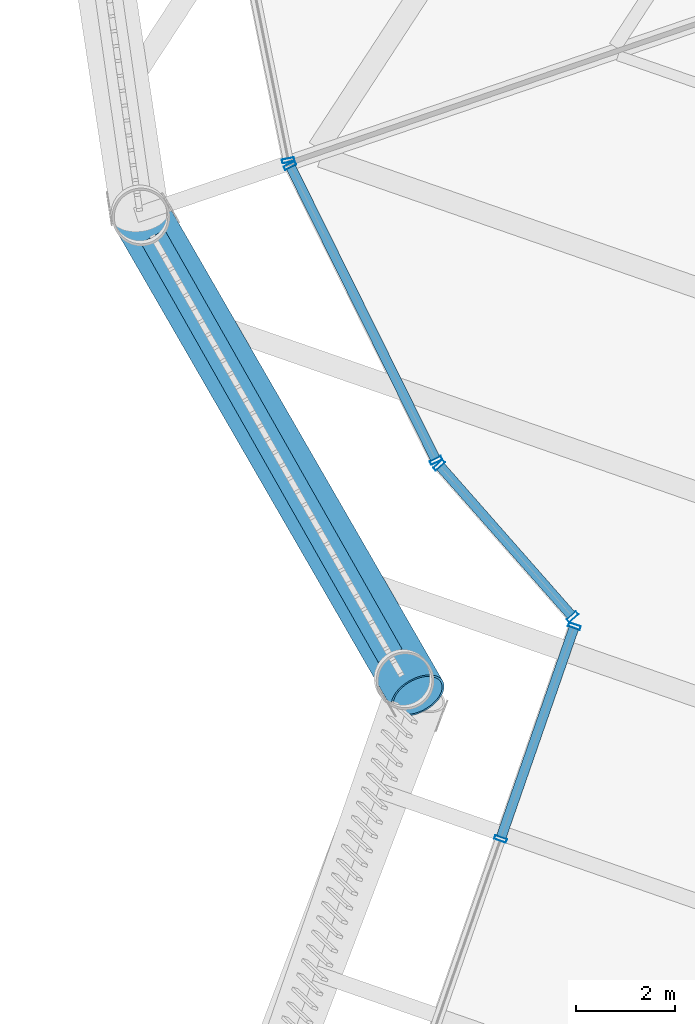
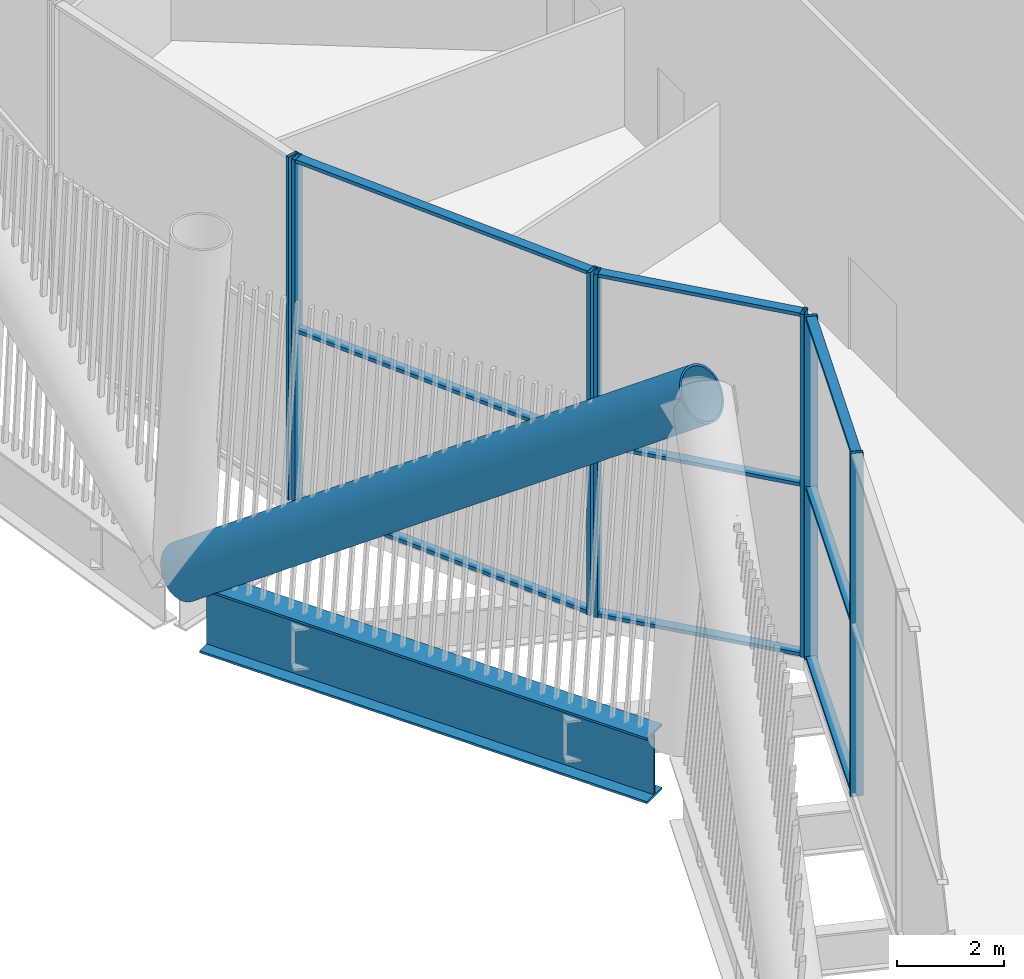
# One storey, part 11 of 63: 17 members, 1 beam, 4 elements without a shape of their own.
"""IFC4 building model written with IfcOpenShell, lengths in metres."""

import ifcopenshell
import ifcopenshell.guid

model = None  # the IFC model being written
_history = None  # IfcOwnerHistory: only IFC2X3 demands one
_inside = {}  # id of a spatial element -> (the spatial element, [elements in it])
_under = {}  # id of a project, library or spatial element -> (it, [spatial elements below it])
_declared = {}  # id of a project -> (the project, [libraries it declares])
_typed = {}  # id of a type object -> (the type object, [elements of that type])
_made_of = {}  # id of a material, layer set ... -> (it, [elements and type objects made of it])


def new_model(schema):
    """Start an empty IFC model of exactly this schema.

    Asked for "IFC4X3", IfcOpenShell would pick the latest addendum, in which some entities
    have other attributes; the version numbers below select the first issue.
    IFC2X3 requires an IfcOwnerHistory on every rooted entity: one is made here for all.
    """
    global model, _history
    if schema == "IFC4X3":
        model = ifcopenshell.file(schema_version=(4, 3, 0, 0))
    else:
        model = ifcopenshell.file(schema=schema)
    _inside.clear()
    _under.clear()
    _declared.clear()
    _typed.clear()
    _made_of.clear()
    _history = None
    if model.schema == "IFC2X3":
        org = make("IfcOrganization", Name="unknown")
        user = make(
            "IfcPersonAndOrganization",
            ThePerson=make("IfcPerson", FamilyName="unknown"),
            TheOrganization=org,
        )
        app = make(
            "IfcApplication",
            ApplicationDeveloper=org,
            Version="unknown",
            ApplicationFullName="unknown",
            ApplicationIdentifier="unknown",
        )
        _history = make(
            "IfcOwnerHistory",
            OwningUser=user,
            OwningApplication=app,
            ChangeAction="ADDED",
            CreationDate=0,
        )
    return model


def make(cls, **values):
    """One entity of the class cls with the attributes given. An attribute that is None is left unset."""
    return model.create_entity(
        cls, **{name: value for name, value in values.items() if value is not None}
    )


def rooted(cls, **values):
    """An entity with a GlobalId (a new one), such as an element, a storey or a relation."""
    return make(cls, GlobalId=ifcopenshell.guid.new(), OwnerHistory=_history, **values)


def si_unit(unit_type, name, prefix=None):
    """IfcSIUnit, for example si_unit("LENGTHUNIT", "METRE", prefix="MILLI")."""
    return make("IfcSIUnit", UnitType=unit_type, Prefix=prefix, Name=name)


def assignment(units):
    """IfcUnitAssignment: the units of a project."""
    return None if units is None else make("IfcUnitAssignment", Units=units)


def point(xyz):
    """IfcCartesianPoint."""
    return None if xyz is None else make("IfcCartesianPoint", Coordinates=xyz)


def direction(xyz):
    """IfcDirection."""
    return None if xyz is None else make("IfcDirection", DirectionRatios=xyz)


def frame(location, z_axis=None, x_axis=None):
    """IfcAxis2Placement3D, a coordinate frame: its origin and axes. An axis left out is left unset."""
    return make(
        "IfcAxis2Placement3D",
        Location=point(location),
        Axis=direction(z_axis),
        RefDirection=direction(x_axis),
    )


def frame_2d(location, x_axis=None):
    """IfcAxis2Placement2D, a coordinate frame in the plane: its origin and x axis."""
    return make(
        "IfcAxis2Placement2D", Location=point(location), RefDirection=direction(x_axis)
    )


def origin():
    """The frame at (0, 0, 0) with its axes left unset."""
    return frame((0.0, 0.0, 0.0))


def origin_2d():
    """The frame at (0, 0) in the plane with its x axis left unset."""
    return frame_2d((0.0, 0.0))


def place(relative_to, where):
    """IfcLocalPlacement: puts the frame where relative to a parent placement (None: the world)."""
    return make(
        "IfcLocalPlacement", PlacementRelTo=relative_to, RelativePlacement=where
    )


def context(
    kind, dimensions, precision=None, world=None, true_north=None, identifier=None
):
    """IfcGeometricRepresentationContext, for example the 3D "Model" context."""
    return make(
        "IfcGeometricRepresentationContext",
        ContextIdentifier=identifier,
        ContextType=kind,
        CoordinateSpaceDimension=dimensions,
        Precision=precision,
        WorldCoordinateSystem=world,
        TrueNorth=true_north,
    )


def subcontext(parent, identifier, kind, view, scale=None):
    """IfcGeometricRepresentationSubContext, for example "Body" below "Model"."""
    return make(
        "IfcGeometricRepresentationSubContext",
        ContextIdentifier=identifier,
        ContextType=kind,
        ParentContext=parent,
        TargetScale=scale,
        TargetView=view,
    )


def project(units=None, contexts=None):
    """IfcProject with its units and contexts."""
    return rooted(
        "IfcProject",
        Name="project",
        RepresentationContexts=contexts,
        UnitsInContext=assignment(units),
    )


def spatial(cls, under=None, at=None, **own):
    """A site, building, storey or space (cls), placed at a placement, below another one or the project."""
    s = rooted(cls, ObjectPlacement=at, **own)
    if under is not None:
        _under.setdefault(under.id(), (under, []))[1].append(s)
    return s


def profile(cls, at=None, kind="AREA", **sizes):
    """A parametric profile (cls). Its sizes go by their IFC names, for example OverallWidth=200.0."""
    return make(cls, ProfileType=kind, Position=at, **sizes)


def hollow_rectangle(**sizes):
    """IfcRectangleHollowProfileDef."""
    return profile("IfcRectangleHollowProfileDef", **sizes)


def hollow_circle(**sizes):
    """IfcCircleHollowProfileDef."""
    return profile("IfcCircleHollowProfileDef", **sizes)


def i_section(**sizes):
    """IfcIShapeProfileDef."""
    return profile("IfcIShapeProfileDef", **sizes)


def extrude(swept, where, along, depth):
    """IfcExtrudedAreaSolid: the profile swept, set in the frame where, extruded along a direction by depth."""
    return make(
        "IfcExtrudedAreaSolid",
        SweptArea=swept,
        Position=where,
        ExtrudedDirection=direction(along),
        Depth=depth,
    )


def shape(context_of_items, identifier, shape_type, items):
    """IfcShapeRepresentation: the items that make up one representation, for example the "Body"."""
    return make(
        "IfcShapeRepresentation",
        ContextOfItems=context_of_items,
        RepresentationIdentifier=identifier,
        RepresentationType=shape_type,
        Items=items,
    )


def material(Name=None, Category=None):
    """IfcMaterial."""
    return make("IfcMaterial", Name=Name, Category=Category)


def layer(
    of_material, thickness, ventilated=None, Name=None, Category=None, Priority=None
):
    """IfcMaterialLayer: one layer of a wall or slab, of a material (None: an air gap)."""
    return make(
        "IfcMaterialLayer",
        Material=of_material,
        LayerThickness=thickness,
        IsVentilated=ventilated,
        Name=Name,
        Category=Category,
        Priority=Priority,
    )


def layer_set(layers, Name=None):
    """IfcMaterialLayerSet."""
    return make("IfcMaterialLayerSet", MaterialLayers=layers, LayerSetName=Name)


def material_profile(
    of_material, cross_section, Name=None, Category=None, Priority=None
):
    """IfcMaterialProfile: a cross section and its material."""
    return make(
        "IfcMaterialProfile",
        Name=Name,
        Material=of_material,
        Profile=cross_section,
        Priority=Priority,
        Category=Category,
    )


def profile_set(profiles, Name=None, composite=None):
    """IfcMaterialProfileSet."""
    return make(
        "IfcMaterialProfileSet",
        Name=Name,
        MaterialProfiles=profiles,
        CompositeProfile=composite,
    )


def made_of(thing, what):
    """Note that an element or type object is made of a material, layer set ...; save() writes the relation."""
    if what is not None:
        _made_of.setdefault(what.id(), (what, []))[1].append(thing)
    return thing


def type_object(cls, material=None, **own):
    """A type object (cls), such as IfcWallType, which elements share."""
    return made_of(rooted(cls, **own), material)


def element(
    cls,
    number,
    at=None,
    inside=None,
    cuts=None,
    type_object=None,
    material=None,
    context=None,
    identifier="Body",
    shape_type=None,
    held_by="IfcProductDefinitionShape",
    body=None,
    shapes=None,
    **own,
):
    """One element of the class cls, such as IfcWall. Its Tag is "e" and its number.

    at: its placement. inside: the storey or other place that contains it. cuts: it is an
    opening in that element (IfcRelVoidsElement). A single representation is given by context,
    identifier, shape_type and body (its items); several are given by shapes. held_by: the class
    of the entity that holds the representations. save() writes the other relations.
    """
    e = rooted(cls, Tag="e%d" % number, ObjectPlacement=at, **own)
    if body is not None:
        shapes = [shape(context, identifier, shape_type, body)]
    if shapes is not None:
        e.Representation = make(held_by, Representations=shapes)
    if inside is not None:
        _inside.setdefault(inside.id(), (inside, []))[1].append(e)
    if cuts is not None:
        rooted(
            "IfcRelVoidsElement", RelatingBuildingElement=cuts, RelatedOpeningElement=e
        )
    if type_object is not None:
        _typed.setdefault(type_object.id(), (type_object, []))[1].append(e)
    return made_of(e, material)


def aggregate(whole, parts):
    """IfcRelAggregates: a whole, such as a stair, and the parts it consists of."""
    return rooted("IfcRelAggregates", RelatingObject=whole, RelatedObjects=parts)


def save(model, path):
    """Write the relations noted so far, then the file.

    IfcRelAggregates (storeys below a building ...), IfcRelContainedInSpatialStructure (elements
    in a storey), IfcRelDefinesByType, IfcRelAssociatesMaterial and IfcRelDeclares: one each for
    every whole, place, type object, material and project.
    """
    for whole, parts in _under.values():
        aggregate(whole, parts)
    for where, things in _inside.values():
        rooted(
            "IfcRelContainedInSpatialStructure",
            RelatedElements=things,
            RelatingStructure=where,
        )
    for kind, things in _typed.values():
        rooted("IfcRelDefinesByType", RelatedObjects=things, RelatingType=kind)
    for what, things in _made_of.values():
        rooted("IfcRelAssociatesMaterial", RelatedObjects=things, RelatingMaterial=what)
    for by, libraries in _declared.values():
        rooted("IfcRelDeclares", RelatingContext=by, RelatedDefinitions=libraries)
    model.write(path)


model = new_model("IFC4")

# Units and contexts
model_context = context("Model", 3, precision=1e-05, world=origin(), true_north=direction((0.0, 1.0)))
body_context = subcontext(model_context, "Body", "Model", "MODEL_VIEW")
ifc_project = project(units=[si_unit("LENGTHUNIT", "METRE"), si_unit("AREAUNIT", "SQUARE_METRE"), si_unit("VOLUMEUNIT", "CUBIC_METRE"), si_unit("PLANEANGLEUNIT", "RADIAN"), si_unit("MASSUNIT", "GRAM", prefix="KILO")], contexts=[model_context])

# Site, building, storey
site_placement = place(None, origin())
site = spatial("IfcSite", under=ifc_project, at=site_placement, CompositionType="ELEMENT")
building_placement = place(site_placement, origin())
building = spatial("IfcBuilding", under=site, at=building_placement, Name="Tarsis Ring Headquarters", CompositionType="ELEMENT")
storey_placement = place(building_placement, frame((0.0, 0.0, 139.60009765625)))
storey = spatial("IfcBuildingStorey", under=building, at=storey_placement, Name="L32", CompositionType="ELEMENT", Elevation=139.60009765625)

# Curtain wall, member
ifc_material_1 = material(Name="Aluminium curtain wall", Category="aluminium")
ifc_layer = layer(ifc_material_1, 0.25)
ifc_layer_set = layer_set([ifc_layer], Name="Curtain wall sky lobby")
curtain_wall_type = type_object("IfcCurtainWallType", Name="Curtain wall sky lobby", PredefinedType="NOTDEFINED", material=ifc_layer_set)
curtain_wall_1_placement = place(storey_placement, origin())
curtain_wall_1 = element("IfcCurtainWall", 1, at=curtain_wall_1_placement, inside=storey, type_object=curtain_wall_type, Name="Curtain wall L32-03", PredefinedType="NOTDEFINED")
ifc_material_2 = material(Name="Aluminium mullion", Category="aluminium")
ifc_material_profile_1 = material_profile(ifc_material_2, hollow_rectangle(XDim=0.25, YDim=0.080078125, WallThickness=0.0048828125, at=origin_2d()), Name="RHS 250x80x5")
ifc_profile_set_1 = profile_set([ifc_material_profile_1], Name="Aluminium mullion")
member_type_1 = type_object("IfcMemberType", Name="Curtain wall mullion sky lobby RHS 250x80x5", PredefinedType="MULLION", material=ifc_profile_set_1)
member_1_placement = place(storey_placement, frame((-24.498779296875, -8.300048828125, 0.0), z_axis=(0.0, 0.0, 1.0), x_axis=(0.980477628068, 0.196630671205, 0.0)))
member_1 = element("IfcMember", 2, at=member_1_placement, type_object=member_type_1, Name="CW-S mullion 2", PredefinedType="MULLION", context=body_context, shape_type="SweptSolid", body=[
    extrude(hollow_rectangle(XDim=0.25, YDim=0.080078125, WallThickness=0.0048828125, at=origin_2d()), origin(), (0.0, 0.0, 1.0), 7.83984375),
])
aggregate(curtain_wall_1, [member_1])

# Curtain wall, members
curtain_wall_2_placement = place(storey_placement, origin())
curtain_wall_2 = element("IfcCurtainWall", 3, at=curtain_wall_2_placement, inside=storey, type_object=curtain_wall_type, Name="Curtain wall L32-04", PredefinedType="NOTDEFINED")
member_2_placement = place(storey_placement, frame((-24.462646484375, -8.406005859375, 0.0), z_axis=(0.0, 0.0, 1.0), x_axis=(0.896176883918, 0.443696960471, 0.0)))
member_2 = element("IfcMember", 4, at=member_2_placement, type_object=member_type_1, Name="CW-S mullion 1", PredefinedType="MULLION", context=body_context, shape_type="SweptSolid", body=[
    extrude(hollow_rectangle(XDim=0.25, YDim=0.080078125, WallThickness=0.0048828125, at=origin_2d()), origin(), (0.0, 0.0, 1.0), 7.83984375),
])
member_3_placement = place(storey_placement, frame((-21.515869140625, -14.35791015625, 0.0), z_axis=(0.0, 0.0, 1.0), x_axis=(0.896176883918, 0.443696960471, 0.0)))
member_3 = element("IfcMember", 5, at=member_3_placement, type_object=member_type_1, Name="CW-S mullion 2", PredefinedType="MULLION", context=body_context, shape_type="SweptSolid", body=[
    extrude(hollow_rectangle(XDim=0.25, YDim=0.080078125, WallThickness=0.0048828125, at=origin_2d()), origin(), (0.0, 0.0, 1.0), 7.83984375),
])

curtain_wall_3_placement = place(storey_placement, origin())
curtain_wall_3 = element("IfcCurtainWall", 6, at=curtain_wall_3_placement, inside=storey, type_object=curtain_wall_type, Name="Curtain wall L32-05", PredefinedType="NOTDEFINED")
member_4_placement = place(storey_placement, frame((-21.453369140625, -14.450927734375, 0.0), z_axis=(0.0, 0.0, 1.0), x_axis=(0.750803123396, 0.660526055427, 0.0)))
member_4 = element("IfcMember", 7, at=member_4_placement, type_object=member_type_1, Name="CW-S mullion 1", PredefinedType="MULLION", context=body_context, shape_type="SweptSolid", body=[
    extrude(hollow_rectangle(XDim=0.25, YDim=0.080078125, WallThickness=0.0048828125, at=origin_2d()), origin(), (0.0, 0.0, 1.0), 7.83984375),
])
member_5_placement = place(storey_placement, frame((-18.76025390625, -17.512451171875, 0.0), z_axis=(0.0, 0.0, 1.0), x_axis=(0.750803123396, 0.660526055427, 0.0)))
member_5 = element("IfcMember", 8, at=member_5_placement, type_object=member_type_1, Name="CW-S mullion 2", PredefinedType="MULLION", context=body_context, shape_type="SweptSolid", body=[
    extrude(hollow_rectangle(XDim=0.25, YDim=0.080078125, WallThickness=0.0048828125, at=origin_2d()), origin(), (0.0, 0.0, 1.0), 7.83984375),
])

curtain_wall_4_placement = place(storey_placement, origin())
curtain_wall_4 = element("IfcCurtainWall", 9, at=curtain_wall_4_placement, inside=storey, type_object=curtain_wall_type, Name="Curtain wall L32-06", PredefinedType="NOTDEFINED")
member_6_placement = place(storey_placement, frame((-18.72265625, -17.703857421875, 0.0), z_axis=(0.0, 0.0, 1.0), x_axis=(0.94460574229, -0.328207238848, 0.0)))
member_6 = element("IfcMember", 10, at=member_6_placement, type_object=member_type_1, Name="CW-S mullion 1", PredefinedType="MULLION", context=body_context, shape_type="SweptSolid", body=[
    extrude(hollow_rectangle(XDim=0.25, YDim=0.080078125, WallThickness=0.0048828125, at=origin_2d()), origin(), (0.0, 0.0, 1.0), 7.83984375),
])
member_7_placement = place(storey_placement, frame((-20.214111328125, -21.996337890625, 0.0), z_axis=(0.0, 0.0, 1.0), x_axis=(0.94460574229, -0.328207238848, 0.0)))
member_7 = element("IfcMember", 11, at=member_7_placement, type_object=member_type_1, Name="CW-S mullion 2", PredefinedType="MULLION", context=body_context, shape_type="SweptSolid", body=[
    extrude(hollow_rectangle(XDim=0.25, YDim=0.080078125, WallThickness=0.0048828125, at=origin_2d()), origin(), (0.0, 0.0, 1.0), 7.83984375),
])

# Member
ifc_material_3 = material(Name="Aluminium transom", Category="aluminium")
ifc_material_profile_2 = material_profile(ifc_material_3, hollow_rectangle(XDim=0.199951171875, YDim=0.080078125, WallThickness=0.0048828125, at=origin_2d()), Name="RHS 200x80x5")
ifc_profile_set_2 = profile_set([ifc_material_profile_2], Name="Aluminium transom")
member_type_2 = type_object("IfcMemberType", Name="Curtain wall transom sky lobby RHS 200x80x5", PredefinedType="USERDEFINED", material=ifc_profile_set_2)
member_8_placement = place(storey_placement, frame((-24.44482421875, -8.44189453125, 0.039794921875), z_axis=(0.443682684005, -0.896183952051, 0.0), x_axis=(0.896183952051, 0.443682684005, 0.0)))
member_8 = element("IfcMember", 12, at=member_8_placement, type_object=member_type_2, Name="CW-S transom 1.1", ObjectType="TRANSOM", PredefinedType="USERDEFINED", context=body_context, shape_type="SweptSolid", body=[
    extrude(hollow_rectangle(XDim=0.199951171875, YDim=0.080078125, WallThickness=0.0048828125, at=origin_2d()), origin(), (0.0, 0.0, 1.0), 6.561279296875),
])

member_9_placement = place(storey_placement, frame((-24.44482421875, -8.44189453125, 3.919921875), z_axis=(0.443682684005, -0.896183952051, 0.0), x_axis=(0.896183952051, 0.443682684005, 0.0)))
member_9 = element("IfcMember", 13, at=member_9_placement, type_object=member_type_2, Name="CW-S transom 1.2", ObjectType="TRANSOM", PredefinedType="USERDEFINED", context=body_context, shape_type="SweptSolid", body=[
    extrude(hollow_rectangle(XDim=0.199951171875, YDim=0.080078125, WallThickness=0.0048828125, at=origin_2d()), origin(), (0.0, 0.0, 1.0), 6.561279296875),
])

member_10_placement = place(storey_placement, frame((-24.44482421875, -8.44189453125, 7.7998046875), z_axis=(0.443682684005, -0.896183952051, 0.0), x_axis=(0.896183952051, 0.443682684005, 0.0)))
member_10 = element("IfcMember", 14, at=member_10_placement, type_object=member_type_2, Name="CW-S transom 1.3", ObjectType="TRANSOM", PredefinedType="USERDEFINED", context=body_context, shape_type="SweptSolid", body=[
    extrude(hollow_rectangle(XDim=0.199951171875, YDim=0.080078125, WallThickness=0.0048828125, at=origin_2d()), origin(), (0.0, 0.0, 1.0), 6.561279296875),
])

aggregate(curtain_wall_2, [member_2, member_3, member_8, member_9, member_10])

member_11_placement = place(storey_placement, frame((-21.427001953125, -14.48095703125, 0.039794921875), z_axis=(0.660499847659, -0.750826179114, 0.0), x_axis=(0.750826179114, 0.660499847659, 0.0)))
member_11 = element("IfcMember", 15, at=member_11_placement, type_object=member_type_2, Name="CW-S transom 1.1", ObjectType="TRANSOM", PredefinedType="USERDEFINED", context=body_context, shape_type="SweptSolid", body=[
    extrude(hollow_rectangle(XDim=0.199951171875, YDim=0.080078125, WallThickness=0.0048828125, at=origin_2d()), origin(), (0.0, 0.0, 1.0), 3.99755859375),
])

member_12_placement = place(storey_placement, frame((-21.427001953125, -14.48095703125, 3.919921875), z_axis=(0.660499847659, -0.750826179114, 0.0), x_axis=(0.750826179114, 0.660499847659, 0.0)))
member_12 = element("IfcMember", 16, at=member_12_placement, type_object=member_type_2, Name="CW-S transom 1.2", ObjectType="TRANSOM", PredefinedType="USERDEFINED", context=body_context, shape_type="SweptSolid", body=[
    extrude(hollow_rectangle(XDim=0.199951171875, YDim=0.080078125, WallThickness=0.0048828125, at=origin_2d()), origin(), (0.0, 0.0, 1.0), 3.99755859375),
])

member_13_placement = place(storey_placement, frame((-21.427001953125, -14.48095703125, 7.7998046875), z_axis=(0.660499847659, -0.750826179114, 0.0), x_axis=(0.750826179114, 0.660499847659, 0.0)))
member_13 = element("IfcMember", 17, at=member_13_placement, type_object=member_type_2, Name="CW-S transom 1.3", ObjectType="TRANSOM", PredefinedType="USERDEFINED", context=body_context, shape_type="SweptSolid", body=[
    extrude(hollow_rectangle(XDim=0.199951171875, YDim=0.080078125, WallThickness=0.0048828125, at=origin_2d()), origin(), (0.0, 0.0, 1.0), 3.99755859375),
])

aggregate(curtain_wall_3, [member_4, member_5, member_11, member_12, member_13])

member_14_placement = place(storey_placement, frame((-18.73583984375, -17.741455078125, 0.039794921875), z_axis=(-0.328162154477, -0.944621405839, 0.0), x_axis=(0.944621405839, -0.328162154477, 0.0)))
member_14 = element("IfcMember", 18, at=member_14_placement, type_object=member_type_2, Name="CW-S transom 1.1", ObjectType="TRANSOM", PredefinedType="USERDEFINED", context=body_context, shape_type="SweptSolid", body=[
    extrude(hollow_rectangle(XDim=0.199951171875, YDim=0.080078125, WallThickness=0.0048828125, at=origin_2d()), origin(), (0.0, 0.0, 1.0), 4.464599609375),
])

member_15_placement = place(storey_placement, frame((-18.73583984375, -17.741455078125, 3.919921875), z_axis=(-0.328162154477, -0.944621405839, 0.0), x_axis=(0.944621405839, -0.328162154477, 0.0)))
member_15 = element("IfcMember", 19, at=member_15_placement, type_object=member_type_2, Name="CW-S transom 1.2", ObjectType="TRANSOM", PredefinedType="USERDEFINED", context=body_context, shape_type="SweptSolid", body=[
    extrude(hollow_rectangle(XDim=0.199951171875, YDim=0.080078125, WallThickness=0.0048828125, at=origin_2d()), origin(), (0.0, 0.0, 1.0), 4.464599609375),
])

member_16_placement = place(storey_placement, frame((-18.73583984375, -17.741455078125, 7.7998046875), z_axis=(-0.328162154477, -0.944621405839, 0.0), x_axis=(0.944621405839, -0.328162154477, 0.0)))
member_16 = element("IfcMember", 20, at=member_16_placement, type_object=member_type_2, Name="CW-S transom 1.3", ObjectType="TRANSOM", PredefinedType="USERDEFINED", context=body_context, shape_type="SweptSolid", body=[
    extrude(hollow_rectangle(XDim=0.199951171875, YDim=0.080078125, WallThickness=0.0048828125, at=origin_2d()), origin(), (0.0, 0.0, 1.0), 4.464599609375),
])

aggregate(curtain_wall_4, [member_6, member_7, member_14, member_15, member_16])

ifc_material_4 = material(Name="Structural steel S355", Category="steel")
ifc_material_profile_3 = material_profile(ifc_material_4, hollow_circle(Radius=0.584228515625, WallThickness=0.044921875, at=origin_2d()), Name="CHS 1168x45")
ifc_profile_set_3 = profile_set([ifc_material_profile_3], Name="Structural steel S355")
member_type_3 = type_object("IfcMemberType", Name="TD Belt truss diagonal CHS 1168x45", PredefinedType="BRACE", material=ifc_profile_set_3)
member_17_placement = place(storey_placement, frame((-27.4921875, -9.380615234375, 0.0), z_axis=(0.406806575113, -0.705307388558, 0.580559986643), x_axis=(0.866239558087, 0.499628890282, 0.0)))
element("IfcMember", 21, at=member_17_placement, inside=storey, type_object=member_type_3, Name="Belt truss diagonal TD3", PredefinedType="BRACE", context=body_context, shape_type="SweptSolid", body=[
    extrude(hollow_circle(Radius=0.584228515625, WallThickness=0.044921875, at=origin_2d()), origin(), (0.0, 0.0, 1.0), 13.77978515625),
])

# Beam
ifc_material_profile_4 = material_profile(ifc_material_4, i_section(OverallWidth=0.550048828125, OverallDepth=1.5, WebThickness=0.030029296875, FlangeThickness=0.050048828125, at=origin_2d()), Name="PG 1500x550x30x50")
ifc_profile_set_4 = profile_set([ifc_material_profile_4], Name="Structural steel S355")
beam_type = type_object("IfcBeamType", Name="XG Ring girder PG 1500x550x30x50", PredefinedType="BEAM", material=ifc_profile_set_4)
beam_placement = place(storey_placement, frame((-27.233154296875, -9.838134765625, -0.75), z_axis=(0.492821805683, -0.870130259124, 0.0), x_axis=(0.870130259124, 0.492821805683, 0.0)))
element("IfcBeam", 22, at=beam_placement, inside=storey, type_object=beam_type, Name="Ring girder XG6", PredefinedType="BEAM", context=body_context, shape_type="SweptSolid", body=[
    extrude(i_section(OverallWidth=0.550048828125, OverallDepth=1.5, WebThickness=0.030029296875, FlangeThickness=0.050048828125, at=origin_2d()), origin(), (0.0, 0.0, 1.0), 9.72021484375),
])

save(model, "model.ifc")
